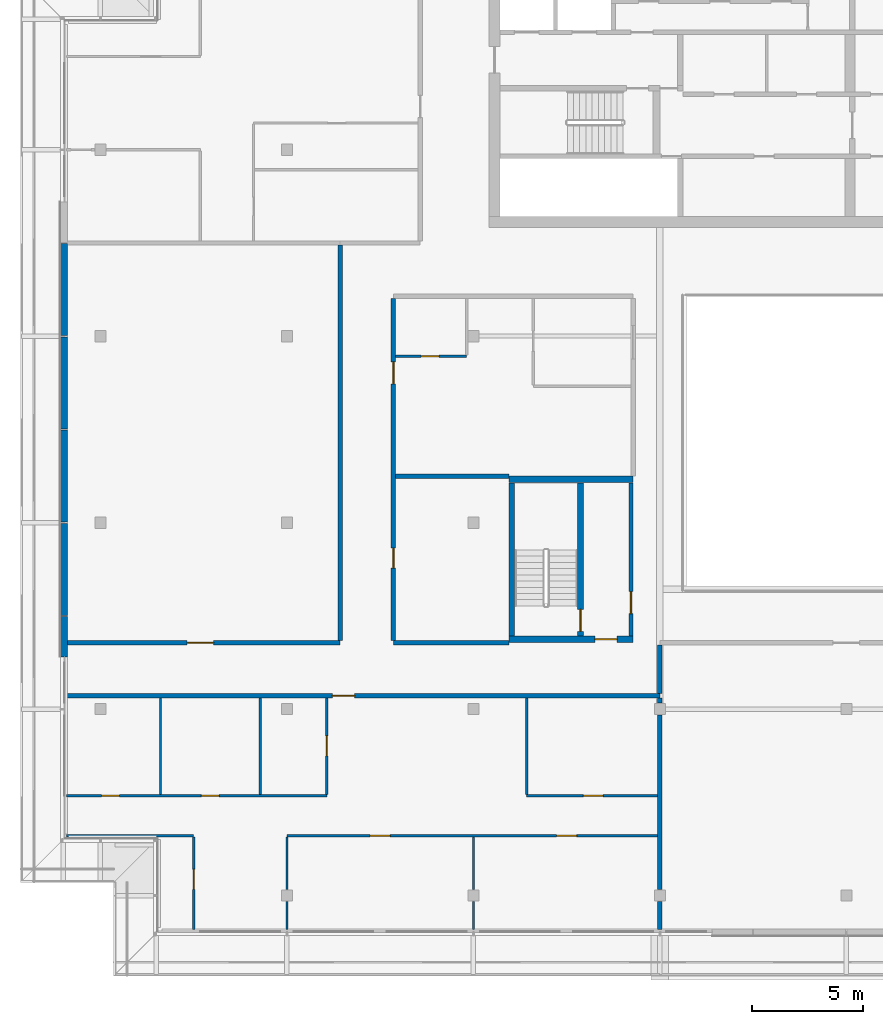
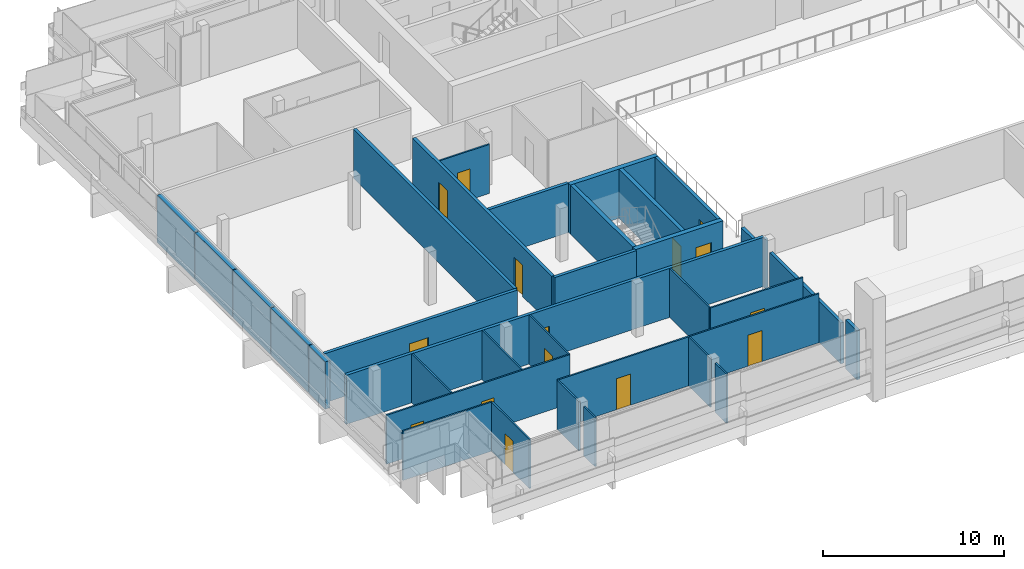
# One storey, part 17 of 33: 34 walls, 15 doors, 15 openings.
"""IFC4 building model written with IfcOpenShell, lengths in metres."""

import ifcopenshell
import ifcopenshell.guid

model = None  # the IFC model being written
_history = None  # IfcOwnerHistory: only IFC2X3 demands one
_inside = {}  # id of a spatial element -> (the spatial element, [elements in it])
_under = {}  # id of a project, library or spatial element -> (it, [spatial elements below it])
_declared = {}  # id of a project -> (the project, [libraries it declares])
_typed = {}  # id of a type object -> (the type object, [elements of that type])
_made_of = {}  # id of a material, layer set ... -> (it, [elements and type objects made of it])


def new_model(schema):
    """Start an empty IFC model of exactly this schema.

    Asked for "IFC4X3", IfcOpenShell would pick the latest addendum, in which some entities
    have other attributes; the version numbers below select the first issue.
    IFC2X3 requires an IfcOwnerHistory on every rooted entity: one is made here for all.
    """
    global model, _history
    if schema == "IFC4X3":
        model = ifcopenshell.file(schema_version=(4, 3, 0, 0))
    else:
        model = ifcopenshell.file(schema=schema)
    _inside.clear()
    _under.clear()
    _declared.clear()
    _typed.clear()
    _made_of.clear()
    _history = None
    if model.schema == "IFC2X3":
        org = make("IfcOrganization", Name="unknown")
        user = make(
            "IfcPersonAndOrganization",
            ThePerson=make("IfcPerson", FamilyName="unknown"),
            TheOrganization=org,
        )
        app = make(
            "IfcApplication",
            ApplicationDeveloper=org,
            Version="unknown",
            ApplicationFullName="unknown",
            ApplicationIdentifier="unknown",
        )
        _history = make(
            "IfcOwnerHistory",
            OwningUser=user,
            OwningApplication=app,
            ChangeAction="ADDED",
            CreationDate=0,
        )
    return model


def make(cls, **values):
    """One entity of the class cls with the attributes given. An attribute that is None is left unset."""
    return model.create_entity(
        cls, **{name: value for name, value in values.items() if value is not None}
    )


def rooted(cls, **values):
    """An entity with a GlobalId (a new one), such as an element, a storey or a relation."""
    return make(cls, GlobalId=ifcopenshell.guid.new(), OwnerHistory=_history, **values)


def si_unit(unit_type, name, prefix=None):
    """IfcSIUnit, for example si_unit("LENGTHUNIT", "METRE", prefix="MILLI")."""
    return make("IfcSIUnit", UnitType=unit_type, Prefix=prefix, Name=name)


def assignment(units):
    """IfcUnitAssignment: the units of a project."""
    return None if units is None else make("IfcUnitAssignment", Units=units)


def point(xyz):
    """IfcCartesianPoint."""
    return None if xyz is None else make("IfcCartesianPoint", Coordinates=xyz)


def direction(xyz):
    """IfcDirection."""
    return None if xyz is None else make("IfcDirection", DirectionRatios=xyz)


def frame(location, z_axis=None, x_axis=None):
    """IfcAxis2Placement3D, a coordinate frame: its origin and axes. An axis left out is left unset."""
    return make(
        "IfcAxis2Placement3D",
        Location=point(location),
        Axis=direction(z_axis),
        RefDirection=direction(x_axis),
    )


def frame_2d(location, x_axis=None):
    """IfcAxis2Placement2D, a coordinate frame in the plane: its origin and x axis."""
    return make(
        "IfcAxis2Placement2D", Location=point(location), RefDirection=direction(x_axis)
    )


def origin():
    """The frame at (0, 0, 0) with its axes left unset."""
    return frame((0.0, 0.0, 0.0))


def place(relative_to, where):
    """IfcLocalPlacement: puts the frame where relative to a parent placement (None: the world)."""
    return make(
        "IfcLocalPlacement", PlacementRelTo=relative_to, RelativePlacement=where
    )


def context(
    kind, dimensions, precision=None, world=None, true_north=None, identifier=None
):
    """IfcGeometricRepresentationContext, for example the 3D "Model" context."""
    return make(
        "IfcGeometricRepresentationContext",
        ContextIdentifier=identifier,
        ContextType=kind,
        CoordinateSpaceDimension=dimensions,
        Precision=precision,
        WorldCoordinateSystem=world,
        TrueNorth=true_north,
    )


def subcontext(parent, identifier, kind, view, scale=None):
    """IfcGeometricRepresentationSubContext, for example "Body" below "Model"."""
    return make(
        "IfcGeometricRepresentationSubContext",
        ContextIdentifier=identifier,
        ContextType=kind,
        ParentContext=parent,
        TargetScale=scale,
        TargetView=view,
    )


def project(units=None, contexts=None):
    """IfcProject with its units and contexts."""
    return rooted(
        "IfcProject",
        Name="project",
        RepresentationContexts=contexts,
        UnitsInContext=assignment(units),
    )


def spatial(cls, under=None, at=None, **own):
    """A site, building, storey or space (cls), placed at a placement, below another one or the project."""
    s = rooted(cls, ObjectPlacement=at, **own)
    if under is not None:
        _under.setdefault(under.id(), (under, []))[1].append(s)
    return s


def profile(cls, at=None, kind="AREA", **sizes):
    """A parametric profile (cls). Its sizes go by their IFC names, for example OverallWidth=200.0."""
    return make(cls, ProfileType=kind, Position=at, **sizes)


def rectangle(**sizes):
    """IfcRectangleProfileDef."""
    return profile("IfcRectangleProfileDef", **sizes)


def extrude(swept, where, along, depth):
    """IfcExtrudedAreaSolid: the profile swept, set in the frame where, extruded along a direction by depth."""
    return make(
        "IfcExtrudedAreaSolid",
        SweptArea=swept,
        Position=where,
        ExtrudedDirection=direction(along),
        Depth=depth,
    )


def shape(context_of_items, identifier, shape_type, items):
    """IfcShapeRepresentation: the items that make up one representation, for example the "Body"."""
    return make(
        "IfcShapeRepresentation",
        ContextOfItems=context_of_items,
        RepresentationIdentifier=identifier,
        RepresentationType=shape_type,
        Items=items,
    )


def material(Name=None, Category=None):
    """IfcMaterial."""
    return make("IfcMaterial", Name=Name, Category=Category)


def layer(
    of_material, thickness, ventilated=None, Name=None, Category=None, Priority=None
):
    """IfcMaterialLayer: one layer of a wall or slab, of a material (None: an air gap)."""
    return make(
        "IfcMaterialLayer",
        Material=of_material,
        LayerThickness=thickness,
        IsVentilated=ventilated,
        Name=Name,
        Category=Category,
        Priority=Priority,
    )


def layer_set(layers, Name=None):
    """IfcMaterialLayerSet."""
    return make("IfcMaterialLayerSet", MaterialLayers=layers, LayerSetName=Name)


def made_of(thing, what):
    """Note that an element or type object is made of a material, layer set ...; save() writes the relation."""
    if what is not None:
        _made_of.setdefault(what.id(), (what, []))[1].append(thing)
    return thing


def type_object(cls, material=None, **own):
    """A type object (cls), such as IfcWallType, which elements share."""
    return made_of(rooted(cls, **own), material)


def element(
    cls,
    number,
    at=None,
    inside=None,
    cuts=None,
    type_object=None,
    material=None,
    context=None,
    identifier="Body",
    shape_type=None,
    held_by="IfcProductDefinitionShape",
    body=None,
    shapes=None,
    **own,
):
    """One element of the class cls, such as IfcWall. Its Tag is "e" and its number.

    at: its placement. inside: the storey or other place that contains it. cuts: it is an
    opening in that element (IfcRelVoidsElement). A single representation is given by context,
    identifier, shape_type and body (its items); several are given by shapes. held_by: the class
    of the entity that holds the representations. save() writes the other relations.
    """
    e = rooted(cls, Tag="e%d" % number, ObjectPlacement=at, **own)
    if body is not None:
        shapes = [shape(context, identifier, shape_type, body)]
    if shapes is not None:
        e.Representation = make(held_by, Representations=shapes)
    if inside is not None:
        _inside.setdefault(inside.id(), (inside, []))[1].append(e)
    if cuts is not None:
        rooted(
            "IfcRelVoidsElement", RelatingBuildingElement=cuts, RelatedOpeningElement=e
        )
    if type_object is not None:
        _typed.setdefault(type_object.id(), (type_object, []))[1].append(e)
    return made_of(e, material)


def fill(opening, filler):
    """IfcRelFillsElement: the door or window that sits in an opening."""
    return rooted(
        "IfcRelFillsElement",
        RelatingOpeningElement=opening,
        RelatedBuildingElement=filler,
    )


def aggregate(whole, parts):
    """IfcRelAggregates: a whole, such as a stair, and the parts it consists of."""
    return rooted("IfcRelAggregates", RelatingObject=whole, RelatedObjects=parts)


def save(model, path):
    """Write the relations noted so far, then the file.

    IfcRelAggregates (storeys below a building ...), IfcRelContainedInSpatialStructure (elements
    in a storey), IfcRelDefinesByType, IfcRelAssociatesMaterial and IfcRelDeclares: one each for
    every whole, place, type object, material and project.
    """
    for whole, parts in _under.values():
        aggregate(whole, parts)
    for where, things in _inside.values():
        rooted(
            "IfcRelContainedInSpatialStructure",
            RelatedElements=things,
            RelatingStructure=where,
        )
    for kind, things in _typed.values():
        rooted("IfcRelDefinesByType", RelatedObjects=things, RelatingType=kind)
    for what, things in _made_of.values():
        rooted("IfcRelAssociatesMaterial", RelatedObjects=things, RelatingMaterial=what)
    for by, libraries in _declared.values():
        rooted("IfcRelDeclares", RelatingContext=by, RelatedDefinitions=libraries)
    model.write(path)


model = new_model("IFC4")

# Units and contexts
model_context = context("Model", 3, precision=1e-05, world=origin(), true_north=direction((0.0, 1.0)))
body_context = subcontext(model_context, "Body", "Model", "MODEL_VIEW")
ifc_project = project(units=[si_unit("LENGTHUNIT", "METRE"), si_unit("AREAUNIT", "SQUARE_METRE"), si_unit("VOLUMEUNIT", "CUBIC_METRE"), si_unit("PLANEANGLEUNIT", "RADIAN"), si_unit("MASSUNIT", "GRAM", prefix="KILO")], contexts=[model_context])

# Site, building, storey
site_placement = place(None, origin())
site = spatial("IfcSite", under=ifc_project, at=site_placement, CompositionType="ELEMENT")
building_placement = place(site_placement, origin())
building = spatial("IfcBuilding", under=site, at=building_placement, Name="Saffron Gate Tower", CompositionType="ELEMENT")
storey_placement = place(building_placement, frame((0.0, 0.0, 263.550048828125)))
storey = spatial("IfcBuildingStorey", under=building, at=storey_placement, Name="L63", CompositionType="ELEMENT", Elevation=263.550048828125)

# Wall, opening, door
ifc_material_1 = material(Name="Gypsum board partition on steel studs", Category="steel")
ifc_layer_1 = layer(ifc_material_1, 0.199951171875)
ifc_layer_set_1 = layer_set([ifc_layer_1], Name="CW10 Core partition 200")
wall_type_1 = type_object("IfcWallType", Name="CW10 Core partition 200", PredefinedType="PARTITIONING", material=ifc_layer_set_1)
wall_1_placement = place(storey_placement, frame((73.699951171875, 43.5, 0.0), z_axis=(0.0, 0.0, 1.0), x_axis=(0.0, 1.0, 0.0)))
wall_1 = element("IfcWall", 1, at=wall_1_placement, inside=storey, type_object=wall_type_1, Name="Wall CW10-L63-D-4", PredefinedType="PARTITIONING", context=body_context, shape_type="SweptSolid", body=[
    extrude(rectangle(XDim=6.89990234375, YDim=0.199951171875, at=frame_2d((3.449951171875, 0.0))), origin(), (0.0, 0.0, 1.0), 3.320068359375),
])
opening_1_placement = place(wall_1_placement, frame((1.0, 0.0, 0.0)))
opening_1 = element("IfcOpeningElement", 2, at=opening_1_placement, cuts=wall_1, Name="Opening CR-19", PredefinedType="OPENING", context=body_context, shape_type="SweptSolid", body=[
    extrude(rectangle(XDim=1.0, YDim=2.10009765625, at=frame_2d((0.5, 1.050048828125))), frame((0.0, 0.10986328125, 0.0), z_axis=(0.0, -1.0, 0.0), x_axis=(1.0, 0.0, 0.0)), (0.0, 0.0, 1.0), 0.219970703125),
])
ifc_material_2 = material(Name="Steel fire door set", Category="steel")
door_type_1 = type_object("IfcDoorType", Name="CD4 Lobby door 1000x2100 EI 120", OperationType="NOTDEFINED", PredefinedType="DOOR", material=ifc_material_2)
door_1_placement = place(opening_1_placement, origin())
door_1 = element("IfcDoor", 3, at=door_1_placement, inside=storey, type_object=door_type_1, Name="DOOR CR-19", OperationType="SINGLE_SWING_RIGHT", OverallHeight=2.10009765625, OverallWidth=1.0, PredefinedType="DOOR", context=body_context, shape_type="SweptSolid", body=[
    extrude(rectangle(XDim=1.0, YDim=2.10009765625, at=frame_2d((0.5, 1.050048828125))), frame((0.0, 0.02490234375, 0.0), z_axis=(0.0, -1.0, 0.0), x_axis=(1.0, 0.0, 0.0)), (0.0, 0.0, 1.0), 0.050048828125),
])
fill(opening_1, door_1)

# Wall
ifc_material_3 = material(Name="Concrete C50", Category="concrete")
ifc_layer_2 = layer(ifc_material_3, 0.25)
ifc_layer_set_2 = layer_set([ifc_layer_2], Name="CW23 RC core wall 250 C50")
wall_type_2 = type_object("IfcWallType", Name="CW23 RC core wall 250 C50", PredefinedType="SOLIDWALL", material=ifc_layer_set_2)
wall_2_placement = place(storey_placement, frame((68.324951171875, 43.5, 0.0), z_axis=(0.0, 0.0, 1.0), x_axis=(0.0, 1.0, 0.0)))
element("IfcWall", 4, at=wall_2_placement, inside=storey, type_object=wall_type_2, Name="Wall CW23-L63-D-2", PredefinedType="SOLIDWALL", context=body_context, shape_type="SweptSolid", body=[
    extrude(rectangle(XDim=6.89990234375, YDim=0.25, at=frame_2d((3.449951171875, 0.0))), origin(), (0.0, 0.0, 1.0), 3.320068359375),
])

# Wall, opening, door
wall_3_placement = place(storey_placement, frame((71.425048828125, 43.5, 0.0), z_axis=(0.0, 0.0, 1.0), x_axis=(0.0, 1.0, 0.0)))
wall_3 = element("IfcWall", 5, at=wall_3_placement, inside=storey, type_object=wall_type_2, Name="Wall CW23-L63-D-3", PredefinedType="SOLIDWALL", context=body_context, shape_type="SweptSolid", body=[
    extrude(rectangle(XDim=6.89990234375, YDim=0.25, at=frame_2d((3.449951171875, 0.0))), origin(), (0.0, 0.0, 1.0), 3.320068359375),
])
opening_2_placement = place(wall_3_placement, frame((0.199951171875, 0.0, 0.0)))
opening_2 = element("IfcOpeningElement", 6, at=opening_2_placement, cuts=wall_3, Name="Opening CR-20", PredefinedType="OPENING", context=body_context, shape_type="SweptSolid", body=[
    extrude(rectangle(XDim=1.0, YDim=2.10009765625, at=frame_2d((0.5, 1.050048828125))), frame((0.0, 0.135009765625, 0.0), z_axis=(0.0, -1.0, 0.0), x_axis=(1.0, 0.0, 0.0)), (0.0, 0.0, 1.0), 0.27001953125),
])
door_type_2 = type_object("IfcDoorType", Name="CD5 Stair door 1000x2100 EI 120", OperationType="NOTDEFINED", PredefinedType="DOOR", material=ifc_material_2)
door_2_placement = place(opening_2_placement, origin())
door_2 = element("IfcDoor", 7, at=door_2_placement, inside=storey, type_object=door_type_2, Name="DOOR CR-20", OperationType="SINGLE_SWING_LEFT", OverallHeight=2.10009765625, OverallWidth=1.0, PredefinedType="DOOR", context=body_context, shape_type="SweptSolid", body=[
    extrude(rectangle(XDim=1.0, YDim=2.10009765625, at=frame_2d((0.5, 1.050048828125))), frame((0.0, 0.02490234375, 0.0), z_axis=(0.0, -1.0, 0.0), x_axis=(1.0, 0.0, 0.0)), (0.0, 0.0, 1.0), 0.050048828125),
])
fill(opening_2, door_2)

ifc_layer_3 = layer(ifc_material_3, 0.300048828125)
ifc_layer_set_3 = layer_set([ifc_layer_3], Name="CW26 RC core wall 300 C50")
wall_type_3 = type_object("IfcWallType", Name="CW26 RC core wall 300 C50", PredefinedType="SOLIDWALL", material=ifc_layer_set_3)
wall_4_placement = place(storey_placement, frame((68.199951171875, 43.35009765625, 0.0), z_axis=(0.0, 0.0, 1.0), x_axis=(1.0, 0.0, 0.0)))
wall_4 = element("IfcWall", 8, at=wall_4_placement, inside=storey, type_object=wall_type_3, Name="Wall CW26-L63-D-1", PredefinedType="SOLIDWALL", context=body_context, shape_type="SweptSolid", body=[
    extrude(rectangle(XDim=5.60009765625, YDim=0.300048828125, at=frame_2d((2.800048828125, 0.0))), origin(), (0.0, 0.0, 1.0), 3.320068359375),
])
opening_3_placement = place(wall_4_placement, frame((3.875, 0.0, 0.0)))
opening_3 = element("IfcOpeningElement", 9, at=opening_3_placement, cuts=wall_4, Name="Opening CR-18", PredefinedType="OPENING", context=body_context, shape_type="SweptSolid", body=[
    extrude(rectangle(XDim=1.0, YDim=2.10009765625, at=frame_2d((0.5, 1.050048828125))), frame((0.0, 0.16015625, 0.0), z_axis=(0.0, -1.0, 0.0), x_axis=(1.0, 0.0, 0.0)), (0.0, 0.0, 1.0), 0.320068359375),
])
door_3_placement = place(opening_3_placement, origin())
door_3 = element("IfcDoor", 10, at=door_3_placement, inside=storey, type_object=door_type_1, Name="DOOR CR-18", OperationType="SINGLE_SWING_RIGHT", OverallHeight=2.10009765625, OverallWidth=1.0, PredefinedType="DOOR", context=body_context, shape_type="SweptSolid", body=[
    extrude(rectangle(XDim=1.0, YDim=2.10009765625, at=frame_2d((0.5, 1.050048828125))), frame((0.0, 0.02490234375, 0.0), z_axis=(0.0, -1.0, 0.0), x_axis=(1.0, 0.0, 0.0)), (0.0, 0.0, 1.0), 0.050048828125),
])
fill(opening_3, door_3)

# Walls
wall_5_placement = place(storey_placement, frame((68.199951171875, 50.550048828125, 0.0), z_axis=(0.0, 0.0, 1.0), x_axis=(1.0, 0.0, 0.0)))
element("IfcWall", 11, at=wall_5_placement, inside=storey, type_object=wall_type_3, Name="Wall CW26-L63-D-5", PredefinedType="SOLIDWALL", context=body_context, shape_type="SweptSolid", body=[
    extrude(rectangle(XDim=5.60009765625, YDim=0.300048828125, at=frame_2d((2.800048828125, 0.0))), origin(), (0.0, 0.0, 1.0), 3.320068359375),
])
ifc_material_4 = material(Name="Plasterboard on steel studs", Category="steel")
ifc_layer_4 = layer(ifc_material_4, 0.10009765625)
ifc_layer_set_4 = layer_set([ifc_layer_4], Name="PW1 Partition 100")
wall_type_4 = type_object("IfcWallType", Name="PW1 Partition 100", PredefinedType="PARTITIONING", material=ifc_layer_set_4)
wall_6_placement = place(storey_placement, frame((48.280029296875, 34.5, 0.0), z_axis=(0.0, 0.0, 1.0), x_axis=(1.0, 0.0, 0.0)))
element("IfcWall", 12, at=wall_6_placement, inside=storey, type_object=wall_type_4, Name="Partition E1-1", PredefinedType="PARTITIONING", context=body_context, shape_type="SweptSolid", body=[
    extrude(rectangle(XDim=5.719970703125, YDim=0.10009765625, at=frame_2d((2.85986328125, 0.0))), origin(), (0.0, 0.0, 1.0), 3.320068359375),
])

# Wall, openings, doors
wall_7_placement = place(storey_placement, frame((74.89990234375, 34.5, 0.0), z_axis=(0.0, 0.0, 1.0), x_axis=(-1.0, 0.0, 0.0)))
wall_7 = element("IfcWall", 13, at=wall_7_placement, inside=storey, type_object=wall_type_4, Name="Partition E1-2", PredefinedType="PARTITIONING", context=body_context, shape_type="SweptSolid", body=[
    extrude(rectangle(XDim=16.699951171875, YDim=0.10009765625, at=frame_2d((8.35009765625, 0.0))), origin(), (0.0, 0.0, 1.0), 3.320068359375),
])
opening_4_placement = place(wall_7_placement, frame((3.64990234375, 0.0, 0.0)))
opening_4 = element("IfcOpeningElement", 14, at=opening_4_placement, cuts=wall_7, Name="Opening E1-9", PredefinedType="OPENING", context=body_context, shape_type="SweptSolid", body=[
    extrude(rectangle(XDim=0.89990234375, YDim=2.10009765625, at=frame_2d((0.449951171875, 1.050048828125))), frame((0.0, 0.06005859375, 0.0), z_axis=(0.0, -1.0, 0.0), x_axis=(1.0, 0.0, 0.0)), (0.0, 0.0, 1.0), 0.1201171875),
])
opening_5_placement = place(wall_7_placement, frame((12.050048828125, 0.0, 0.0)))
opening_5 = element("IfcOpeningElement", 15, at=opening_5_placement, cuts=wall_7, Name="Opening E1-8", PredefinedType="OPENING", context=body_context, shape_type="SweptSolid", body=[
    extrude(rectangle(XDim=0.89990234375, YDim=2.10009765625, at=frame_2d((0.449951171875, 1.050048828125))), frame((0.0, 0.06005859375, 0.0), z_axis=(0.0, -1.0, 0.0), x_axis=(1.0, 0.0, 0.0)), (0.0, 0.0, 1.0), 0.1201171875),
])
ifc_material_5 = material(Name="Timber door set", Category="wood")
door_type_3 = type_object("IfcDoorType", Name="RD1 Room door 900x2100", OperationType="NOTDEFINED", PredefinedType="DOOR", material=ifc_material_5)
door_4_placement = place(opening_4_placement, origin())
door_4 = element("IfcDoor", 16, at=door_4_placement, inside=storey, type_object=door_type_3, Name="Door E1-9", OperationType="SINGLE_SWING_LEFT", OverallHeight=2.10009765625, OverallWidth=0.89990234375, PredefinedType="DOOR", context=body_context, shape_type="SweptSolid", body=[
    extrude(rectangle(XDim=0.89990234375, YDim=2.10009765625, at=frame_2d((0.449951171875, 1.050048828125))), frame((0.0, 0.02490234375, 0.0), z_axis=(0.0, -1.0, 0.0), x_axis=(1.0, 0.0, 0.0)), (0.0, 0.0, 1.0), 0.050048828125),
])
fill(opening_4, door_4)
door_5_placement = place(opening_5_placement, origin())
door_5 = element("IfcDoor", 17, at=door_5_placement, inside=storey, type_object=door_type_3, Name="Door E1-8", OperationType="SINGLE_SWING_RIGHT", OverallHeight=2.10009765625, OverallWidth=0.89990234375, PredefinedType="DOOR", context=body_context, shape_type="SweptSolid", body=[
    extrude(rectangle(XDim=0.89990234375, YDim=2.10009765625, at=frame_2d((0.449951171875, 1.050048828125))), frame((0.0, 0.02490234375, 0.0), z_axis=(0.0, -1.0, 0.0), x_axis=(1.0, 0.0, 0.0)), (0.0, 0.0, 1.0), 0.050048828125),
])
fill(opening_5, door_5)

wall_8_placement = place(storey_placement, frame((48.280029296875, 36.300048828125, 0.0), z_axis=(0.0, 0.0, 1.0), x_axis=(1.0, 0.0, 0.0)))
wall_8 = element("IfcWall", 18, at=wall_8_placement, inside=storey, type_object=wall_type_4, Name="Partition E1-3", PredefinedType="PARTITIONING", context=body_context, shape_type="SweptSolid", body=[
    extrude(rectangle(XDim=11.719970703125, YDim=0.10009765625, at=frame_2d((5.85986328125, 0.0))), origin(), (0.0, 0.0, 1.0), 3.320068359375),
])
opening_6_placement = place(wall_8_placement, frame((1.570068359375, 0.0, 0.0)))
opening_6 = element("IfcOpeningElement", 19, at=opening_6_placement, cuts=wall_8, Name="Opening E1-26", PredefinedType="OPENING", context=body_context, shape_type="SweptSolid", body=[
    extrude(rectangle(XDim=0.800048828125, YDim=2.10009765625, at=frame_2d((0.39990234375, 1.050048828125))), frame((0.0, 0.06005859375, 0.0), z_axis=(0.0, -1.0, 0.0), x_axis=(1.0, 0.0, 0.0)), (0.0, 0.0, 1.0), 0.1201171875),
])
opening_7_placement = place(wall_8_placement, frame((6.070068359375, 0.0, 0.0)))
opening_7 = element("IfcOpeningElement", 20, at=opening_7_placement, cuts=wall_8, Name="Opening E1-27", PredefinedType="OPENING", context=body_context, shape_type="SweptSolid", body=[
    extrude(rectangle(XDim=0.800048828125, YDim=2.10009765625, at=frame_2d((0.39990234375, 1.050048828125))), frame((0.0, 0.06005859375, 0.0), z_axis=(0.0, -1.0, 0.0), x_axis=(1.0, 0.0, 0.0)), (0.0, 0.0, 1.0), 0.1201171875),
])
door_type_4 = type_object("IfcDoorType", Name="RD2 Bathroom door 800x2100", OperationType="NOTDEFINED", PredefinedType="DOOR", material=ifc_material_5)
door_6_placement = place(opening_6_placement, origin())
door_6 = element("IfcDoor", 21, at=door_6_placement, inside=storey, type_object=door_type_4, Name="Door E1-26", OperationType="SINGLE_SWING_LEFT", OverallHeight=2.10009765625, OverallWidth=0.800048828125, PredefinedType="DOOR", context=body_context, shape_type="SweptSolid", body=[
    extrude(rectangle(XDim=0.800048828125, YDim=2.10009765625, at=frame_2d((0.39990234375, 1.050048828125))), frame((0.0, 0.02490234375, 0.0), z_axis=(0.0, -1.0, 0.0), x_axis=(1.0, 0.0, 0.0)), (0.0, 0.0, 1.0), 0.050048828125),
])
fill(opening_6, door_6)
door_7_placement = place(opening_7_placement, origin())
door_7 = element("IfcDoor", 22, at=door_7_placement, inside=storey, type_object=door_type_4, Name="Door E1-27", OperationType="SINGLE_SWING_LEFT", OverallHeight=2.10009765625, OverallWidth=0.800048828125, PredefinedType="DOOR", context=body_context, shape_type="SweptSolid", body=[
    extrude(rectangle(XDim=0.800048828125, YDim=2.10009765625, at=frame_2d((0.39990234375, 1.050048828125))), frame((0.0, 0.02490234375, 0.0), z_axis=(0.0, -1.0, 0.0), x_axis=(1.0, 0.0, 0.0)), (0.0, 0.0, 1.0), 0.050048828125),
])
fill(opening_7, door_7)

# Wall, opening, door
wall_9_placement = place(storey_placement, frame((69.0, 36.300048828125, 0.0), z_axis=(0.0, 0.0, 1.0), x_axis=(1.0, 0.0, 0.0)))
wall_9 = element("IfcWall", 23, at=wall_9_placement, inside=storey, type_object=wall_type_4, Name="Partition E1-4", PredefinedType="PARTITIONING", context=body_context, shape_type="SweptSolid", body=[
    extrude(rectangle(XDim=5.89990234375, YDim=0.10009765625, at=frame_2d((2.949951171875, 0.0))), origin(), (0.0, 0.0, 1.0), 3.320068359375),
])
opening_8_placement = place(wall_9_placement, frame((2.550048828125, 0.0, 0.0)))
opening_8 = element("IfcOpeningElement", 24, at=opening_8_placement, cuts=wall_9, Name="Opening E1-10", PredefinedType="OPENING", context=body_context, shape_type="SweptSolid", body=[
    extrude(rectangle(XDim=0.89990234375, YDim=2.10009765625, at=frame_2d((0.449951171875, 1.050048828125))), frame((0.0, 0.06005859375, 0.0), z_axis=(0.0, -1.0, 0.0), x_axis=(1.0, 0.0, 0.0)), (0.0, 0.0, 1.0), 0.1201171875),
])
door_8_placement = place(opening_8_placement, origin())
door_8 = element("IfcDoor", 25, at=door_8_placement, inside=storey, type_object=door_type_3, Name="Door E1-10", OperationType="SINGLE_SWING_RIGHT", OverallHeight=2.10009765625, OverallWidth=0.89990234375, PredefinedType="DOOR", context=body_context, shape_type="SweptSolid", body=[
    extrude(rectangle(XDim=0.89990234375, YDim=2.10009765625, at=frame_2d((0.449951171875, 1.050048828125))), frame((0.0, 0.02490234375, 0.0), z_axis=(0.0, -1.0, 0.0), x_axis=(1.0, 0.0, 0.0)), (0.0, 0.0, 1.0), 0.050048828125),
])
fill(opening_8, door_8)

wall_10_placement = place(storey_placement, frame((63.10009765625, 56.10009765625, 0.0), z_axis=(0.0, 0.0, 1.0), x_axis=(1.0, 0.0, 0.0)))
wall_10 = element("IfcWall", 26, at=wall_10_placement, inside=storey, type_object=wall_type_4, Name="Partition E1-21", PredefinedType="PARTITIONING", context=body_context, shape_type="SweptSolid", body=[
    extrude(rectangle(XDim=3.199951171875, YDim=0.10009765625, at=frame_2d((1.60009765625, 0.0))), origin(), (0.0, 0.0, 1.0), 3.320068359375),
])
opening_9_placement = place(wall_10_placement, frame((1.14990234375, 0.0, 0.0)))
opening_9 = element("IfcOpeningElement", 27, at=opening_9_placement, cuts=wall_10, Name="Opening E1-33", PredefinedType="OPENING", context=body_context, shape_type="SweptSolid", body=[
    extrude(rectangle(XDim=0.800048828125, YDim=2.10009765625, at=frame_2d((0.39990234375, 1.050048828125))), frame((0.0, 0.06005859375, 0.0), z_axis=(0.0, -1.0, 0.0), x_axis=(1.0, 0.0, 0.0)), (0.0, 0.0, 1.0), 0.1201171875),
])
door_9_placement = place(opening_9_placement, origin())
door_9 = element("IfcDoor", 28, at=door_9_placement, inside=storey, type_object=door_type_4, Name="Door E1-33", OperationType="SINGLE_SWING_LEFT", OverallHeight=2.10009765625, OverallWidth=0.800048828125, PredefinedType="DOOR", context=body_context, shape_type="SweptSolid", body=[
    extrude(rectangle(XDim=0.800048828125, YDim=2.10009765625, at=frame_2d((0.39990234375, 1.050048828125))), frame((0.0, 0.02490234375, 0.0), z_axis=(0.0, -1.0, 0.0), x_axis=(1.0, 0.0, 0.0)), (0.0, 0.0, 1.0), 0.050048828125),
])
fill(opening_9, door_9)

# Wall
wall_11_placement = place(storey_placement, frame((52.5, 40.699951171875, 0.0), z_axis=(0.0, 0.0, 1.0), x_axis=(0.0, -1.0, 0.0)))
element("IfcWall", 29, at=wall_11_placement, inside=storey, type_object=wall_type_4, Name="Partition E1-39", PredefinedType="PARTITIONING", context=body_context, shape_type="SweptSolid", body=[
    extrude(rectangle(XDim=4.349853515625, YDim=0.10009765625, at=frame_2d((2.1748046875, 0.0))), origin(), (0.0, 0.0, 1.0), 3.320068359375),
])

# Wall, opening, door
wall_12_placement = place(storey_placement, frame((54.0, 30.280029296875, 0.0), z_axis=(0.0, 0.0, 1.0), x_axis=(0.0, 1.0, 0.0)))
wall_12 = element("IfcWall", 30, at=wall_12_placement, inside=storey, type_object=wall_type_4, Name="Partition E1-40", PredefinedType="PARTITIONING", context=body_context, shape_type="SweptSolid", body=[
    extrude(rectangle(XDim=4.169921875, YDim=0.10009765625, at=frame_2d((2.0849609375, 0.0))), origin(), (0.0, 0.0, 1.0), 3.320068359375),
])
opening_10_placement = place(wall_12_placement, frame((1.802734375, 0.0, 0.0)))
opening_10 = element("IfcOpeningElement", 31, at=opening_10_placement, cuts=wall_12, Name="Opening E1-7", PredefinedType="OPENING", context=body_context, shape_type="SweptSolid", body=[
    extrude(rectangle(XDim=0.89990234375, YDim=2.10009765625, at=frame_2d((0.449951171875, 1.050048828125))), frame((0.0, 0.06005859375, 0.0), z_axis=(0.0, -1.0, 0.0), x_axis=(1.0, 0.0, 0.0)), (0.0, 0.0, 1.0), 0.1201171875),
])
door_10_placement = place(opening_10_placement, origin())
door_10 = element("IfcDoor", 32, at=door_10_placement, inside=storey, type_object=door_type_3, Name="Door E1-7", OperationType="SINGLE_SWING_RIGHT", OverallHeight=2.10009765625, OverallWidth=0.89990234375, PredefinedType="DOOR", context=body_context, shape_type="SweptSolid", body=[
    extrude(rectangle(XDim=0.89990234375, YDim=2.10009765625, at=frame_2d((0.449951171875, 1.050048828125))), frame((0.0, 0.02490234375, 0.0), z_axis=(0.0, -1.0, 0.0), x_axis=(1.0, 0.0, 0.0)), (0.0, 0.0, 1.0), 0.050048828125),
])
fill(opening_10, door_10)

# Walls
wall_13_placement = place(storey_placement, frame((57.0, 40.699951171875, 0.0), z_axis=(0.0, 0.0, 1.0), x_axis=(0.0, -1.0, 0.0)))
element("IfcWall", 33, at=wall_13_placement, inside=storey, type_object=wall_type_4, Name="Partition E1-45", PredefinedType="PARTITIONING", context=body_context, shape_type="SweptSolid", body=[
    extrude(rectangle(XDim=4.349853515625, YDim=0.10009765625, at=frame_2d((2.1748046875, 0.0))), origin(), (0.0, 0.0, 1.0), 3.320068359375),
])
wall_14_placement = place(storey_placement, frame((58.199951171875, 31.530029296875, 0.0), z_axis=(0.0, 0.0, 1.0), x_axis=(0.0, -1.0, 0.0)))
element("IfcWall", 34, at=wall_14_placement, inside=storey, type_object=wall_type_4, Name="Partition E1-46", PredefinedType="PARTITIONING", context=body_context, shape_type="SweptSolid", body=[
    extrude(rectangle(XDim=1.25, YDim=0.10009765625, at=frame_2d((0.625, 0.0))), origin(), (0.0, 0.0, 1.0), 3.320068359375),
])
wall_15_placement = place(storey_placement, frame((58.199951171875, 34.449951171875, 0.0), z_axis=(0.0, 0.0, 1.0), x_axis=(0.0, -1.0, 0.0)))
element("IfcWall", 35, at=wall_15_placement, inside=storey, type_object=wall_type_4, Name="Partition E1-47", PredefinedType="PARTITIONING", context=body_context, shape_type="SweptSolid", body=[
    extrude(rectangle(XDim=2.3798828125, YDim=0.10009765625, at=frame_2d((1.18994140625, 0.0))), origin(), (0.0, 0.0, 1.0), 3.320068359375),
])

# Wall, opening, door
wall_16_placement = place(storey_placement, frame((60.0, 36.35009765625, 0.0), z_axis=(0.0, 0.0, 1.0), x_axis=(0.0, 1.0, 0.0)))
wall_16 = element("IfcWall", 36, at=wall_16_placement, inside=storey, type_object=wall_type_4, Name="Partition E1-48", PredefinedType="PARTITIONING", context=body_context, shape_type="SweptSolid", body=[
    extrude(rectangle(XDim=4.349853515625, YDim=0.10009765625, at=frame_2d((2.1748046875, 0.0))), origin(), (0.0, 0.0, 1.0), 3.320068359375),
])
opening_11_placement = place(wall_16_placement, frame((1.75, 0.0, 0.0)))
opening_11 = element("IfcOpeningElement", 37, at=opening_11_placement, cuts=wall_16, Name="Opening E1-11", PredefinedType="OPENING", context=body_context, shape_type="SweptSolid", body=[
    extrude(rectangle(XDim=0.89990234375, YDim=2.10009765625, at=frame_2d((0.449951171875, 1.050048828125))), frame((0.0, 0.06005859375, 0.0), z_axis=(0.0, -1.0, 0.0), x_axis=(1.0, 0.0, 0.0)), (0.0, 0.0, 1.0), 0.1201171875),
])
door_11_placement = place(opening_11_placement, origin())
door_11 = element("IfcDoor", 38, at=door_11_placement, inside=storey, type_object=door_type_3, Name="Door E1-11", OperationType="SINGLE_SWING_RIGHT", OverallHeight=2.10009765625, OverallWidth=0.89990234375, PredefinedType="DOOR", context=body_context, shape_type="SweptSolid", body=[
    extrude(rectangle(XDim=0.89990234375, YDim=2.10009765625, at=frame_2d((0.449951171875, 1.050048828125))), frame((0.0, 0.02490234375, 0.0), z_axis=(0.0, -1.0, 0.0), x_axis=(1.0, 0.0, 0.0)), (0.0, 0.0, 1.0), 0.050048828125),
])
fill(opening_11, door_11)

# Walls
wall_17_placement = place(storey_placement, frame((66.60009765625, 31.530029296875, 0.0), z_axis=(0.0, 0.0, 1.0), x_axis=(0.0, -1.0, 0.0)))
element("IfcWall", 39, at=wall_17_placement, inside=storey, type_object=wall_type_4, Name="Partition E1-53", PredefinedType="PARTITIONING", context=body_context, shape_type="SweptSolid", body=[
    extrude(rectangle(XDim=1.25, YDim=0.10009765625, at=frame_2d((0.625, 0.0))), origin(), (0.0, 0.0, 1.0), 3.320068359375),
])
wall_18_placement = place(storey_placement, frame((66.60009765625, 34.449951171875, 0.0), z_axis=(0.0, 0.0, 1.0), x_axis=(0.0, -1.0, 0.0)))
element("IfcWall", 40, at=wall_18_placement, inside=storey, type_object=wall_type_4, Name="Partition E1-54", PredefinedType="PARTITIONING", context=body_context, shape_type="SweptSolid", body=[
    extrude(rectangle(XDim=2.3798828125, YDim=0.10009765625, at=frame_2d((1.18994140625, 0.0))), origin(), (0.0, 0.0, 1.0), 3.320068359375),
])
wall_19_placement = place(storey_placement, frame((69.0, 40.699951171875, 0.0), z_axis=(0.0, 0.0, 1.0), x_axis=(0.0, -1.0, 0.0)))
element("IfcWall", 41, at=wall_19_placement, inside=storey, type_object=wall_type_4, Name="Partition E1-55", PredefinedType="PARTITIONING", context=body_context, shape_type="SweptSolid", body=[
    extrude(rectangle(XDim=4.349853515625, YDim=0.10009765625, at=frame_2d((2.1748046875, 0.0))), origin(), (0.0, 0.0, 1.0), 3.320068359375),
])
ifc_material_6 = material(Name="Clay brick masonry, rendered", Category="masonry")
ifc_layer_5 = layer(ifc_material_6, 0.199951171875)
ifc_layer_set_5 = layer_set([ifc_layer_5], Name="PW2 Demising wall 200")
wall_type_5 = type_object("IfcWallType", Name="PW2 Demising wall 200", PredefinedType="PARTITIONING", material=ifc_layer_set_5)
wall_20_placement = place(storey_placement, frame((63.10009765625, 50.699951171875, 0.0), z_axis=(0.0, 0.0, 1.0), x_axis=(1.0, 0.0, 0.0)))
element("IfcWall", 42, at=wall_20_placement, inside=storey, type_object=wall_type_5, Name="Wall E1-16", PredefinedType="PARTITIONING", context=body_context, shape_type="SweptSolid", body=[
    extrude(rectangle(XDim=5.099853515625, YDim=0.199951171875, at=frame_2d((2.5498046875, 0.0))), origin(), (0.0, 0.0, 1.0), 3.320068359375),
])

# Wall, opening, door
ifc_layer_6 = layer(ifc_material_6, 0.199951171875)
ifc_layer_set_6 = layer_set([ifc_layer_6], Name="PW3 Corridor wall 200")
wall_type_6 = type_object("IfcWallType", Name="PW3 Corridor wall 200", PredefinedType="PARTITIONING", material=ifc_layer_set_6)
wall_21_placement = place(storey_placement, frame((75.0, 40.800048828125, 0.0), z_axis=(0.0, 0.0, 1.0), x_axis=(-1.0, 0.0, 0.0)))
wall_21 = element("IfcWall", 43, at=wall_21_placement, inside=storey, type_object=wall_type_6, Name="Wall E1-9", PredefinedType="PARTITIONING", context=body_context, shape_type="SweptSolid", body=[
    extrude(rectangle(XDim=26.719970703125, YDim=0.199951171875, at=frame_2d((13.35986328125, 0.0))), origin(), (0.0, 0.0, 1.0), 3.320068359375),
])
opening_12_placement = place(wall_21_placement, frame((13.75, 0.0, 0.0)))
opening_12 = element("IfcOpeningElement", 44, at=opening_12_placement, cuts=wall_21, Name="Opening E1-1", PredefinedType="OPENING", context=body_context, shape_type="SweptSolid", body=[
    extrude(rectangle(XDim=1.0, YDim=2.10009765625, at=frame_2d((0.5, 1.050048828125))), frame((0.0, 0.10986328125, 0.0), z_axis=(0.0, -1.0, 0.0), x_axis=(1.0, 0.0, 0.0)), (0.0, 0.0, 1.0), 0.219970703125),
])
ifc_material_7 = material(Name="Timber fire door set", Category="wood")
door_type_5 = type_object("IfcDoorType", Name="FD1 Flat entry door 1000x2100", OperationType="NOTDEFINED", PredefinedType="DOOR", material=ifc_material_7)
door_12_placement = place(opening_12_placement, origin())
door_12 = element("IfcDoor", 45, at=door_12_placement, inside=storey, type_object=door_type_5, Name="Door E1-1", OperationType="SINGLE_SWING_LEFT", OverallHeight=2.10009765625, OverallWidth=1.0, PredefinedType="DOOR", context=body_context, shape_type="SweptSolid", body=[
    extrude(rectangle(XDim=1.0, YDim=2.10009765625, at=frame_2d((0.5, 1.050048828125))), frame((0.0, 0.02490234375, 0.0), z_axis=(0.0, -1.0, 0.0), x_axis=(1.0, 0.0, 0.0)), (0.0, 0.0, 1.0), 0.050048828125),
])
fill(opening_12, door_12)

wall_22_placement = place(storey_placement, frame((48.280029296875, 43.199951171875, 0.0), z_axis=(0.0, 0.0, 1.0), x_axis=(1.0, 0.0, 0.0)))
wall_22 = element("IfcWall", 46, at=wall_22_placement, inside=storey, type_object=wall_type_6, Name="Wall E1-11", PredefinedType="PARTITIONING", context=body_context, shape_type="SweptSolid", body=[
    extrude(rectangle(XDim=12.320068359375, YDim=0.199951171875, at=frame_2d((6.16015625, 0.0))), origin(), (0.0, 0.0, 1.0), 3.320068359375),
])
opening_13_placement = place(wall_22_placement, frame((5.419921875, 0.0, 0.0)))
opening_13 = element("IfcOpeningElement", 47, at=opening_13_placement, cuts=wall_22, Name="Opening E1-40", PredefinedType="OPENING", context=body_context, shape_type="SweptSolid", body=[
    extrude(rectangle(XDim=1.199951171875, YDim=2.10009765625, at=frame_2d((0.60009765625, 1.050048828125))), frame((0.0, 0.10986328125, 0.0), z_axis=(0.0, -1.0, 0.0), x_axis=(1.0, 0.0, 0.0)), (0.0, 0.0, 1.0), 0.219970703125),
])
door_type_6 = type_object("IfcDoorType", Name="HD1 Hall door 1200x2100", OperationType="NOTDEFINED", PredefinedType="DOOR", material=ifc_material_5)
door_13_placement = place(opening_13_placement, origin())
door_13 = element("IfcDoor", 48, at=door_13_placement, inside=storey, type_object=door_type_6, Name="Door E1-40", OperationType="SINGLE_SWING_LEFT", OverallHeight=2.10009765625, OverallWidth=1.199951171875, PredefinedType="DOOR", context=body_context, shape_type="SweptSolid", body=[
    extrude(rectangle(XDim=1.199951171875, YDim=2.10009765625, at=frame_2d((0.60009765625, 1.050048828125))), frame((0.0, 0.02490234375, 0.0), z_axis=(0.0, -1.0, 0.0), x_axis=(1.0, 0.0, 0.0)), (0.0, 0.0, 1.0), 0.050048828125),
])
fill(opening_13, door_13)

# Walls
wall_23_placement = place(storey_placement, frame((63.0, 43.199951171875, 0.0), z_axis=(0.0, 0.0, 1.0), x_axis=(1.0, 0.0, 0.0)))
element("IfcWall", 49, at=wall_23_placement, inside=storey, type_object=wall_type_6, Name="Wall E1-12", PredefinedType="PARTITIONING", context=body_context, shape_type="SweptSolid", body=[
    extrude(rectangle(XDim=5.199951171875, YDim=0.199951171875, at=frame_2d((2.60009765625, 0.0))), origin(), (0.0, 0.0, 1.0), 3.320068359375),
])
wall_24_placement = place(storey_placement, frame((60.60009765625, 61.10009765625, 0.0), z_axis=(0.0, 0.0, 1.0), x_axis=(0.0, -1.0, 0.0)))
element("IfcWall", 50, at=wall_24_placement, inside=storey, type_object=wall_type_6, Name="Wall E1-49", PredefinedType="PARTITIONING", context=body_context, shape_type="SweptSolid", body=[
    extrude(rectangle(XDim=17.800048828125, YDim=0.199951171875, at=frame_2d((8.89990234375, 0.0))), origin(), (0.0, 0.0, 1.0), 3.320068359375),
])

# Wall, openings, doors
wall_25_placement = place(storey_placement, frame((63.0, 58.699951171875, 0.0), z_axis=(0.0, 0.0, 1.0), x_axis=(0.0, -1.0, 0.0)))
wall_25 = element("IfcWall", 51, at=wall_25_placement, inside=storey, type_object=wall_type_6, Name="Wall E1-50", PredefinedType="PARTITIONING", context=body_context, shape_type="SweptSolid", body=[
    extrude(rectangle(XDim=15.39990234375, YDim=0.199951171875, at=frame_2d((7.699951171875, 0.0))), origin(), (0.0, 0.0, 1.0), 3.320068359375),
])
opening_14_placement = place(wall_25_placement, frame((2.85009765625, 0.0, 0.0)))
opening_14 = element("IfcOpeningElement", 52, at=opening_14_placement, cuts=wall_25, Name="Opening E1-5", PredefinedType="OPENING", context=body_context, shape_type="SweptSolid", body=[
    extrude(rectangle(XDim=1.0, YDim=2.10009765625, at=frame_2d((0.5, 1.050048828125))), frame((0.0, 0.10986328125, 0.0), z_axis=(0.0, -1.0, 0.0), x_axis=(1.0, 0.0, 0.0)), (0.0, 0.0, 1.0), 0.219970703125),
])
opening_15_placement = place(wall_25_placement, frame((11.25, 0.0, 0.0)))
opening_15 = element("IfcOpeningElement", 53, at=opening_15_placement, cuts=wall_25, Name="Opening E1-36", PredefinedType="OPENING", context=body_context, shape_type="SweptSolid", body=[
    extrude(rectangle(XDim=0.89990234375, YDim=2.10009765625, at=frame_2d((0.449951171875, 1.050048828125))), frame((0.0, 0.10986328125, 0.0), z_axis=(0.0, -1.0, 0.0), x_axis=(1.0, 0.0, 0.0)), (0.0, 0.0, 1.0), 0.219970703125),
])
door_14_placement = place(opening_14_placement, origin())
door_14 = element("IfcDoor", 54, at=door_14_placement, inside=storey, type_object=door_type_5, Name="Door E1-5", OperationType="SINGLE_SWING_LEFT", OverallHeight=2.10009765625, OverallWidth=1.0, PredefinedType="DOOR", context=body_context, shape_type="SweptSolid", body=[
    extrude(rectangle(XDim=1.0, YDim=2.10009765625, at=frame_2d((0.5, 1.050048828125))), frame((0.0, 0.02490234375, 0.0), z_axis=(0.0, -1.0, 0.0), x_axis=(1.0, 0.0, 0.0)), (0.0, 0.0, 1.0), 0.050048828125),
])
fill(opening_14, door_14)
door_type_7 = type_object("IfcDoorType", Name="SD1 Service door 900x2100", OperationType="NOTDEFINED", PredefinedType="DOOR", material=ifc_material_2)
door_15_placement = place(opening_15_placement, origin())
door_15 = element("IfcDoor", 55, at=door_15_placement, inside=storey, type_object=door_type_7, Name="Door E1-36", OperationType="SINGLE_SWING_RIGHT", OverallHeight=2.10009765625, OverallWidth=0.89990234375, PredefinedType="DOOR", context=body_context, shape_type="SweptSolid", body=[
    extrude(rectangle(XDim=0.89990234375, YDim=2.10009765625, at=frame_2d((0.449951171875, 1.050048828125))), frame((0.0, 0.02490234375, 0.0), z_axis=(0.0, -1.0, 0.0), x_axis=(1.0, 0.0, 0.0)), (0.0, 0.0, 1.0), 0.050048828125),
])
fill(opening_15, door_15)

# Walls
wall_26_placement = place(storey_placement, frame((75.0, 43.10009765625, 0.0), z_axis=(0.0, 0.0, 1.0), x_axis=(0.0, -1.0, 0.0)))
element("IfcWall", 56, at=wall_26_placement, inside=storey, type_object=wall_type_6, Name="Wall E1-58", PredefinedType="PARTITIONING", context=body_context, shape_type="SweptSolid", body=[
    extrude(rectangle(XDim=2.2001953125, YDim=0.199951171875, at=frame_2d((1.10009765625, 0.0))), origin(), (0.0, 0.0, 1.0), 2.530029296875),
])
ifc_layer_7 = layer(ifc_material_6, 0.199951171875)
ifc_layer_set_7 = layer_set([ifc_layer_7], Name="PW5 Room wall 200")
wall_type_7 = type_object("IfcWallType", Name="PW5 Room wall 200", PredefinedType="PARTITIONING", material=ifc_layer_set_7)
wall_27_placement = place(storey_placement, frame((75.0, 31.530029296875, 0.0), z_axis=(0.0, 0.0, 1.0), x_axis=(0.0, -1.0, 0.0)))
element("IfcWall", 57, at=wall_27_placement, inside=storey, type_object=wall_type_7, Name="Wall E1-59", PredefinedType="PARTITIONING", context=body_context, shape_type="SweptSolid", body=[
    extrude(rectangle(XDim=1.25, YDim=0.199951171875, at=frame_2d((0.625, 0.0))), origin(), (0.0, 0.0, 1.0), 3.320068359375),
])
wall_28_placement = place(storey_placement, frame((75.0, 39.929931640625, 0.0), z_axis=(0.0, 0.0, 1.0), x_axis=(0.0, -1.0, 0.0)))
element("IfcWall", 58, at=wall_28_placement, inside=storey, type_object=wall_type_7, Name="Wall E1-60", PredefinedType="PARTITIONING", context=body_context, shape_type="SweptSolid", body=[
    extrude(rectangle(XDim=7.85986328125, YDim=0.199951171875, at=frame_2d((3.929931640625, 0.0))), origin(), (0.0, 0.0, 1.0), 2.77001953125),
])
wall_29_placement = place(storey_placement, frame((75.0, 40.699951171875, 0.0), z_axis=(0.0, 0.0, 1.0), x_axis=(0.0, -1.0, 0.0)))
element("IfcWall", 59, at=wall_29_placement, inside=storey, type_object=wall_type_7, Name="Wall E1-61", PredefinedType="PARTITIONING", context=body_context, shape_type="SweptSolid", body=[
    extrude(rectangle(XDim=0.22998046875, YDim=0.199951171875, at=frame_2d((0.114990234375, 0.0))), origin(), (0.0, 0.0, 1.0), 3.320068359375),
])
ifc_material_8 = material(Name="Reinforced concrete C40/50 with mineral wool insulation", Category="concrete")
ifc_layer_8 = layer(ifc_material_8, 0.30810546875)
ifc_layer_set_8 = layer_set([ifc_layer_8], Name="WBAY3 arch bay insulated wall")
wall_type_8 = type_object("IfcWallType", Name="WBAY3 arch bay insulated wall", PredefinedType="SOLIDWALL", material=ifc_layer_set_8)
for number, where, z_axis, x_axis, name in (
    (60, (48.154052734375, 57.030029296875, 0.0), (0.0, 0.0, 1.0), (0.0, 1.0, 0.0), "ARCH BAY wall"),
    (61, (48.154052734375, 52.830078125, 0.0), (0.0, 0.0, 1.0), (0.0, 1.0, 0.0), "ARCH BAY wall"),
):
    element("IfcWall", number, at=place(storey_placement, frame(where, z_axis=z_axis, x_axis=x_axis)), inside=storey, type_object=wall_type_8, Name=name, PredefinedType="SOLIDWALL", context=body_context, shape_type="SweptSolid", body=[
        extrude(rectangle(XDim=4.139892578125, YDim=0.30810546875, at=frame_2d((2.06982421875, 0.0))), origin(), (0.0, 0.0, 1.0), 3.199951171875),
    ])
for number, where, z_axis, x_axis, name in (
    (62, (48.154052734375, 48.6298828125, 0.0), (0.0, 0.0, 1.0), (0.0, 1.0, 0.0), "ARCH BAY wall"),
    (63, (48.154052734375, 44.429931640625, 0.0), (0.0, 0.0, 1.0), (0.0, 1.0, 0.0), "ARCH BAY wall"),
):
    element("IfcWall", number, at=place(storey_placement, frame(where, z_axis=z_axis, x_axis=x_axis)), inside=storey, type_object=wall_type_8, Name=name, PredefinedType="SOLIDWALL", context=body_context, shape_type="SweptSolid", body=[
        extrude(rectangle(XDim=4.14013671875, YDim=0.30810546875, at=frame_2d((2.070068359375, 0.0))), origin(), (0.0, 0.0, 1.0), 3.199951171875),
    ])
wall_30_placement = place(storey_placement, frame((48.154052734375, 42.55078125, 0.0), z_axis=(0.0, 0.0, 1.0), x_axis=(0.0, 1.0, 0.0)))
element("IfcWall", 64, at=wall_30_placement, inside=storey, type_object=wall_type_8, Name="ARCH BAY wall", PredefinedType="SOLIDWALL", context=body_context, shape_type="SweptSolid", body=[
    extrude(rectangle(XDim=1.8193359375, YDim=0.30810546875, at=frame_2d((0.90966796875, 0.0))), origin(), (0.0, 0.0, 1.0), 3.199951171875),
])

save(model, "model.ifc")
